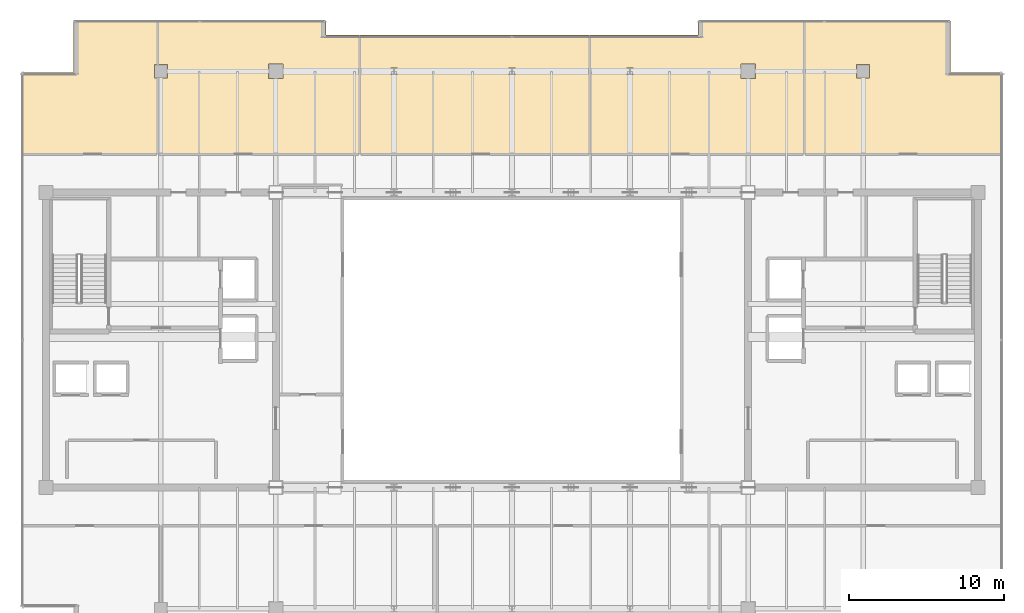
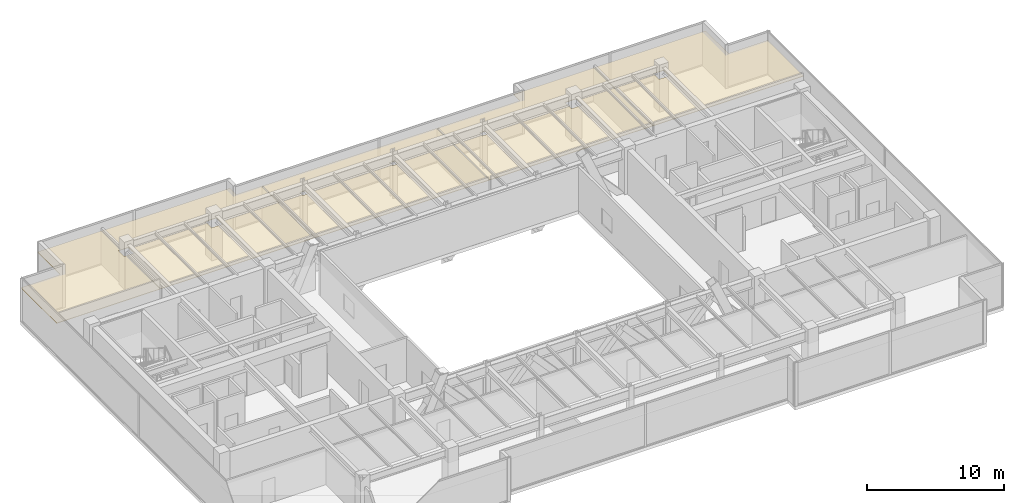
# One storey, part 32 of 32: 5 coverings.
"""IFC4 building model written with IfcOpenShell, lengths in metres."""

from ifc_helpers import new_model, si_unit, direction, frame, origin, place, context, subcontext, project, spatial, polyline, outline, extrude, material, layer, layer_set, type_object, element, save


model = new_model("IFC4")

# Units and contexts
model_context = context("Model", 3, precision=1e-05, world=origin(), true_north=direction((0.0, 1.0)))
body_context = subcontext(model_context, "Body", "Model", "MODEL_VIEW")
ifc_project = project(units=[si_unit("LENGTHUNIT", "METRE"), si_unit("AREAUNIT", "SQUARE_METRE"), si_unit("VOLUMEUNIT", "CUBIC_METRE"), si_unit("PLANEANGLEUNIT", "RADIAN"), si_unit("MASSUNIT", "GRAM", prefix="KILO")], contexts=[model_context])

# Site, building, storey
site_placement = place(None, origin())
site = spatial("IfcSite", under=ifc_project, at=site_placement, CompositionType="ELEMENT")
building_placement = place(site_placement, origin())
building = spatial("IfcBuilding", under=site, at=building_placement, Name="Haelvirn Gate Laboratories", CompositionType="ELEMENT")
storey_placement = place(building_placement, frame((0.0, 0.0, 301.800048828125)))
storey = spatial("IfcBuildingStorey", under=building, at=storey_placement, Name="L72", CompositionType="ELEMENT", Elevation=301.800048828125)

# Coverings
ifc_material = material(Name="Micro-perforated acoustic mineral-fibre laboratory ceiling")
ifc_layer = layer(ifc_material, 0.0400390625, Name="COV-CEIL-ACT")
ifc_layer_set = layer_set([ifc_layer], Name="Micro-perforated acoustic mineral-fibre laboratory ceiling")
covering_type = type_object("IfcCoveringType", Name="COV-CEIL-ACT", PredefinedType="CEILING", material=ifc_layer_set)
covering_1_placement = place(storey_placement, frame((0.0, 0.0, 2.929931640625)))
element("IfcCovering", 1, at=covering_1_placement, inside=storey, type_object=covering_type, Name="L72 Laboratory Acoustic Ceiling CEIL-SP-L72-N-01", PredefinedType="CEILING", context=body_context, shape_type="SweptSolid", body=[
    extrude(outline(polyline([(9.179931640625, 44.85009765625), (14.580078125, 44.85009765625), (14.580078125, 42.02001953125), (14.3798828125, 42.02001953125), (14.3798828125, 41.179931640625), (14.580078125, 41.179931640625), (14.580078125, 36.27001953125), (5.85009765625, 36.27001953125), (5.85009765625, 41.52001953125), (9.179931640625, 41.52001953125), (9.179931640625, 44.85009765625)])), origin(), (0.0, 0.0, 1.0), 0.0400390625),
])
covering_2_placement = place(storey_placement, frame((0.0, 0.0, 2.929931640625)))
element("IfcCovering", 2, at=covering_2_placement, inside=storey, type_object=covering_type, Name="L72 Laboratory Acoustic Ceiling CEIL-SP-L72-N-02", PredefinedType="CEILING", context=body_context, shape_type="SweptSolid", body=[
    extrude(outline(polyline([(25.419921875, 44.85009765625), (25.419921875, 43.919921875), (27.580078125, 43.919921875), (27.580078125, 36.27001953125), (14.6201171875, 36.27001953125), (14.6201171875, 41.179931640625), (15.219970703125, 41.179931640625), (15.219970703125, 42.02001953125), (14.6201171875, 42.02001953125), (14.6201171875, 44.85009765625), (25.419921875, 44.85009765625)]), holes=[polyline([(22.669921875, 42.070068359375), (21.72998046875, 42.070068359375), (21.72998046875, 41.1298828125), (22.669921875, 41.1298828125), (22.669921875, 42.070068359375)])]), origin(), (0.0, 0.0, 1.0), 0.0400390625),
])
covering_3_placement = place(storey_placement, frame((0.0, 0.0, 2.929931640625)))
element("IfcCovering", 3, at=covering_3_placement, inside=storey, type_object=covering_type, Name="L72 Laboratory Acoustic Ceiling CEIL-SP-L72-N-03", PredefinedType="CEILING", context=body_context, shape_type="SweptSolid", body=[
    extrude(outline(polyline([(27.6201171875, 36.27001953125), (27.6201171875, 43.919921875), (42.3798828125, 43.919921875), (42.3798828125, 36.27001953125), (27.6201171875, 36.27001953125)]), holes=[polyline([(29.580078125, 41.820068359375), (29.580078125, 41.3798828125), (30.02001953125, 41.3798828125), (30.02001953125, 41.820068359375), (29.580078125, 41.820068359375)]), polyline([(37.6201171875, 41.820068359375), (37.179931640625, 41.820068359375), (37.179931640625, 41.3798828125), (37.6201171875, 41.3798828125), (37.6201171875, 41.820068359375)])]), origin(), (0.0, 0.0, 1.0), 0.0400390625),
])
covering_4_placement = place(storey_placement, frame((0.0, 0.0, 2.929931640625)))
element("IfcCovering", 4, at=covering_4_placement, inside=storey, type_object=covering_type, Name="L72 Laboratory Acoustic Ceiling CEIL-SP-L72-N-04", PredefinedType="CEILING", context=body_context, shape_type="SweptSolid", body=[
    extrude(outline(polyline([(49.3798828125, 44.85009765625), (56.179931640625, 44.85009765625), (56.179931640625, 36.27001953125), (42.419921875, 36.27001953125), (42.419921875, 43.919921875), (49.3798828125, 43.919921875), (49.3798828125, 44.85009765625)]), holes=[polyline([(52.1298828125, 42.070068359375), (52.1298828125, 41.1298828125), (53.070068359375, 41.1298828125), (53.070068359375, 42.070068359375), (52.1298828125, 42.070068359375)]), polyline([(45.219970703125, 41.820068359375), (44.780029296875, 41.820068359375), (44.780029296875, 41.3798828125), (45.219970703125, 41.3798828125), (45.219970703125, 41.820068359375)])]), origin(), (0.0, 0.0, 1.0), 0.0400390625),
])
covering_5_placement = place(storey_placement, frame((0.0, 0.0, 2.929931640625)))
element("IfcCovering", 5, at=covering_5_placement, inside=storey, type_object=covering_type, Name="L72 Laboratory Acoustic Ceiling CEIL-SP-L72-N-05", PredefinedType="CEILING", context=body_context, shape_type="SweptSolid", body=[
    extrude(outline(polyline([(65.6201171875, 44.85009765625), (65.6201171875, 41.52001953125), (68.949951171875, 41.52001953125), (68.949951171875, 36.27001953125), (56.219970703125, 36.27001953125), (56.219970703125, 44.85009765625), (65.6201171875, 44.85009765625)]), holes=[polyline([(60.419921875, 42.02001953125), (59.580078125, 42.02001953125), (59.580078125, 41.179931640625), (60.419921875, 41.179931640625), (60.419921875, 42.02001953125)])]), origin(), (0.0, 0.0, 1.0), 0.0400390625),
])

save(model, "model.ifc")
